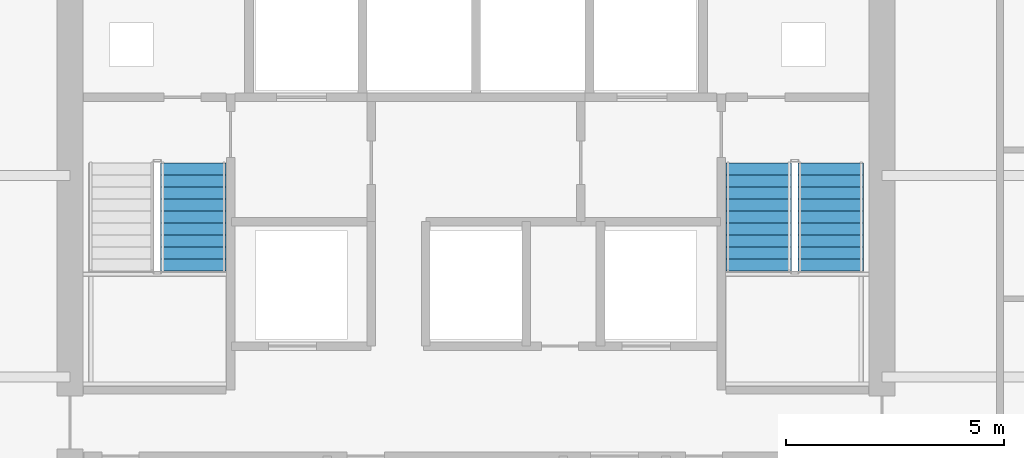
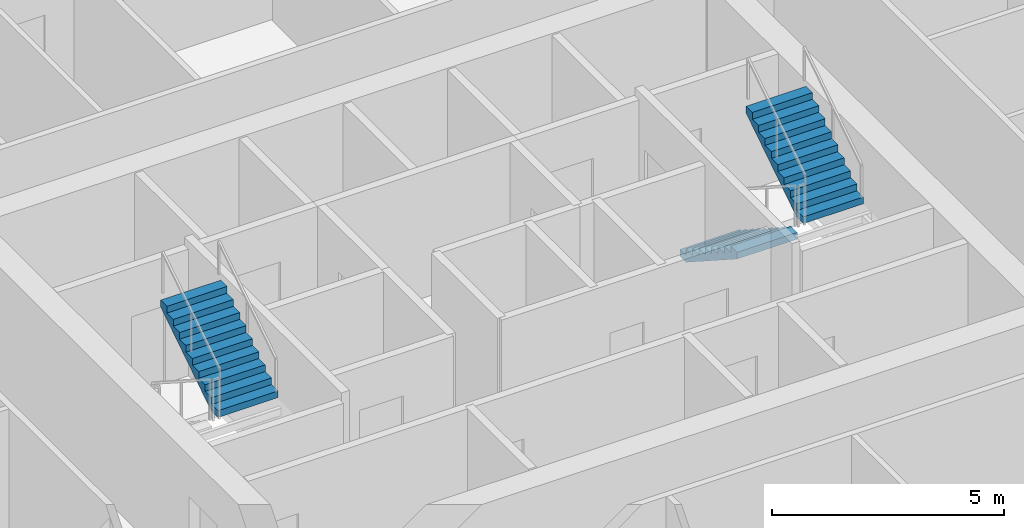
# One storey, part 8 of 10: 3 stair flights, 2 elements without a shape of their own.
"""IFC4 building model written with IfcOpenShell, lengths in metres."""

from ifc_helpers import new_model, si_unit, direction, frame, origin, place, context, subcontext, project, spatial, polyline, outline, extrude, material, type_object, element, aggregate, save


model = new_model("IFC4")

# Units and contexts
model_context = context("Model", 3, precision=1e-05, world=origin(), true_north=direction((0.0, 1.0)))
body_context = subcontext(model_context, "Body", "Model", "MODEL_VIEW")
ifc_project = project(units=[si_unit("LENGTHUNIT", "METRE"), si_unit("AREAUNIT", "SQUARE_METRE"), si_unit("VOLUMEUNIT", "CUBIC_METRE"), si_unit("PLANEANGLEUNIT", "RADIAN"), si_unit("MASSUNIT", "GRAM", prefix="KILO")], contexts=[model_context])

# Site, building, storey
site_placement = place(None, origin())
site = spatial("IfcSite", under=ifc_project, at=site_placement, CompositionType="ELEMENT")
building_placement = place(site_placement, origin())
building = spatial("IfcBuilding", under=site, at=building_placement, Name="Cinnabar Lancet Tower", CompositionType="ELEMENT")
storey_placement = place(building_placement, frame((0.0, 0.0, 160.60009765625)))
storey = spatial("IfcBuildingStorey", under=building, at=storey_placement, Name="L42", CompositionType="ELEMENT", Elevation=160.60009765625)

# Stair, stair flight
ifc_material_1 = material(Name="Concrete C40/50", Category="concrete")
stair_type = type_object("IfcStairType", Name="ST-CORE", PredefinedType="HALF_TURN_STAIR", material=ifc_material_1)
stair_1_placement = place(storey_placement, origin())
stair_1 = element("IfcStair", 1, at=stair_1_placement, inside=storey, type_object=stair_type, Name="L42 ST-1", PredefinedType="HALF_TURN_STAIR")
ifc_material_2 = material(Name="Concrete C40/50", Category="concrete")
stair_flight_type = type_object("IfcStairFlightType", Name="FLIGHT-CORE", PredefinedType="STRAIGHT", material=ifc_material_2)
stair_flight_1_placement = place(storey_placement, frame((25.925048828125, 25.925048828125, 1.77490234375), z_axis=(0.0, 0.0, 1.0), x_axis=(0.0, 1.0, 0.0)))
stair_flight_1 = element("IfcStairFlight", 2, at=stair_flight_1_placement, type_object=stair_flight_type, Name="ST-1 flight 2", NumberOfRisers=10, NumberOfTreads=9, PredefinedType="STRAIGHT", RiserHeight=0.1775, TreadLength=0.275, context=body_context, shape_type="SweptSolid", body=[
    extrude(outline(polyline([(0.0, 0.0), (0.0, 0.177490234375), (0.27490234375, 0.177490234375), (0.27490234375, 0.35498046875), (0.550048828125, 0.35498046875), (0.550048828125, 0.532470703125), (0.824951171875, 0.532470703125), (0.824951171875, 0.7099609375), (1.10009765625, 0.7099609375), (1.10009765625, 0.887451171875), (1.375, 0.887451171875), (1.375, 1.06494140625), (1.64990234375, 1.06494140625), (1.64990234375, 1.242431640625), (1.925048828125, 1.242431640625), (1.925048828125, 1.419921875), (2.199951171875, 1.419921875), (2.199951171875, 1.597412109375), (2.47509765625, 1.597412109375), (2.47509765625, 1.77490234375), (2.47509765625, 1.419189453125), (0.2763671875, 0.0), (0.0, 0.0)])), frame((0.0, 0.75, 0.0), z_axis=(0.0, -1.0, 0.0), x_axis=(1.0, 0.0, 0.0)), (0.0, 0.0, 1.0), 1.5),
])
aggregate(stair_1, [stair_flight_1])

# Stair, stair flights
stair_2_placement = place(storey_placement, origin())
stair_2 = element("IfcStair", 3, at=stair_2_placement, inside=storey, type_object=stair_type, Name="L42 ST-2", PredefinedType="HALF_TURN_STAIR")
stair_flight_2_placement = place(storey_placement, frame((38.875, 28.39990234375, 0.0), z_axis=(0.0, 0.0, 1.0), x_axis=(0.0, -1.0, 0.0)))
stair_flight_2 = element("IfcStairFlight", 4, at=stair_flight_2_placement, type_object=stair_flight_type, Name="ST-2 flight 1", NumberOfRisers=10, NumberOfTreads=9, PredefinedType="STRAIGHT", RiserHeight=0.1775, TreadLength=0.275, context=body_context, shape_type="SweptSolid", body=[
    extrude(outline(polyline([(0.0, 0.0), (0.0, 0.177490234375), (0.27490234375, 0.177490234375), (0.27490234375, 0.35498046875), (0.550048828125, 0.35498046875), (0.550048828125, 0.532470703125), (0.824951171875, 0.532470703125), (0.824951171875, 0.7099609375), (1.10009765625, 0.7099609375), (1.10009765625, 0.887451171875), (1.375, 0.887451171875), (1.375, 1.06494140625), (1.64990234375, 1.06494140625), (1.64990234375, 1.242431640625), (1.925048828125, 1.242431640625), (1.925048828125, 1.419921875), (2.199951171875, 1.419921875), (2.199951171875, 1.597412109375), (2.47509765625, 1.597412109375), (2.47509765625, 1.77490234375), (2.47509765625, 1.419189453125), (0.2763671875, 0.0), (0.0, 0.0)])), frame((0.0, 0.75, 0.0), z_axis=(0.0, -1.0, 0.0), x_axis=(1.0, 0.0, 0.0)), (0.0, 0.0, 1.0), 1.5),
])
stair_flight_3_placement = place(storey_placement, frame((40.52490234375, 25.925048828125, 1.77490234375), z_axis=(0.0, 0.0, 1.0), x_axis=(0.0, 1.0, 0.0)))
stair_flight_3 = element("IfcStairFlight", 5, at=stair_flight_3_placement, type_object=stair_flight_type, Name="ST-2 flight 2", NumberOfRisers=10, NumberOfTreads=9, PredefinedType="STRAIGHT", RiserHeight=0.1775, TreadLength=0.275, context=body_context, shape_type="SweptSolid", body=[
    extrude(outline(polyline([(0.0, 0.0), (0.0, 0.177490234375), (0.27490234375, 0.177490234375), (0.27490234375, 0.35498046875), (0.550048828125, 0.35498046875), (0.550048828125, 0.532470703125), (0.824951171875, 0.532470703125), (0.824951171875, 0.7099609375), (1.10009765625, 0.7099609375), (1.10009765625, 0.887451171875), (1.375, 0.887451171875), (1.375, 1.06494140625), (1.64990234375, 1.06494140625), (1.64990234375, 1.242431640625), (1.925048828125, 1.242431640625), (1.925048828125, 1.419921875), (2.199951171875, 1.419921875), (2.199951171875, 1.597412109375), (2.47509765625, 1.597412109375), (2.47509765625, 1.77490234375), (2.47509765625, 1.419189453125), (0.2763671875, 0.0), (0.0, 0.0)])), frame((0.0, 0.75, 0.0), z_axis=(0.0, -1.0, 0.0), x_axis=(1.0, 0.0, 0.0)), (0.0, 0.0, 1.0), 1.5),
])
aggregate(stair_2, [stair_flight_2, stair_flight_3])

save(model, "model.ifc")
